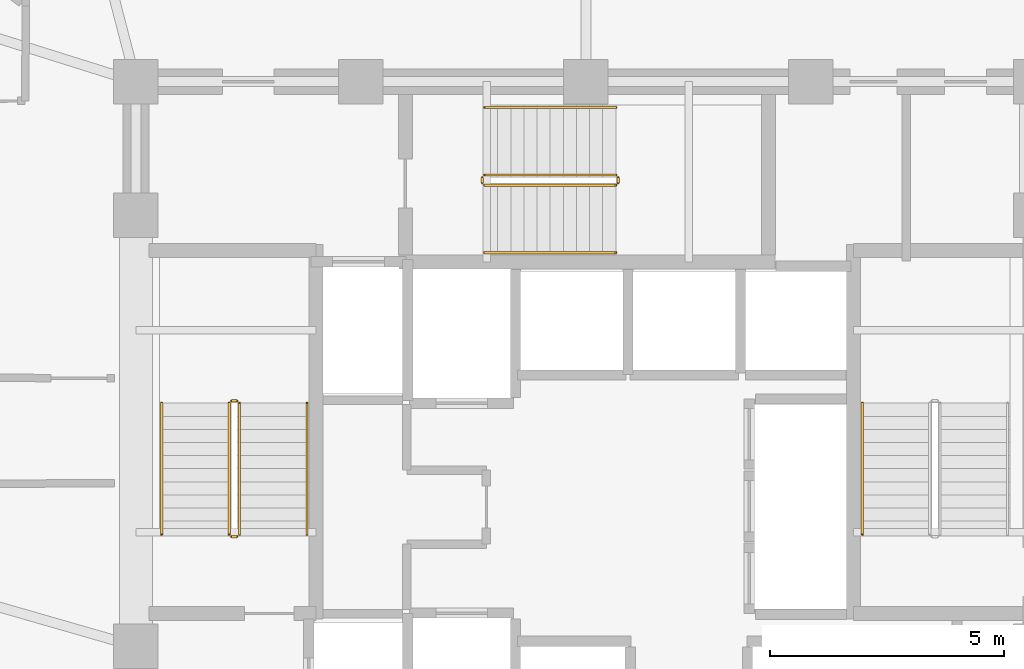
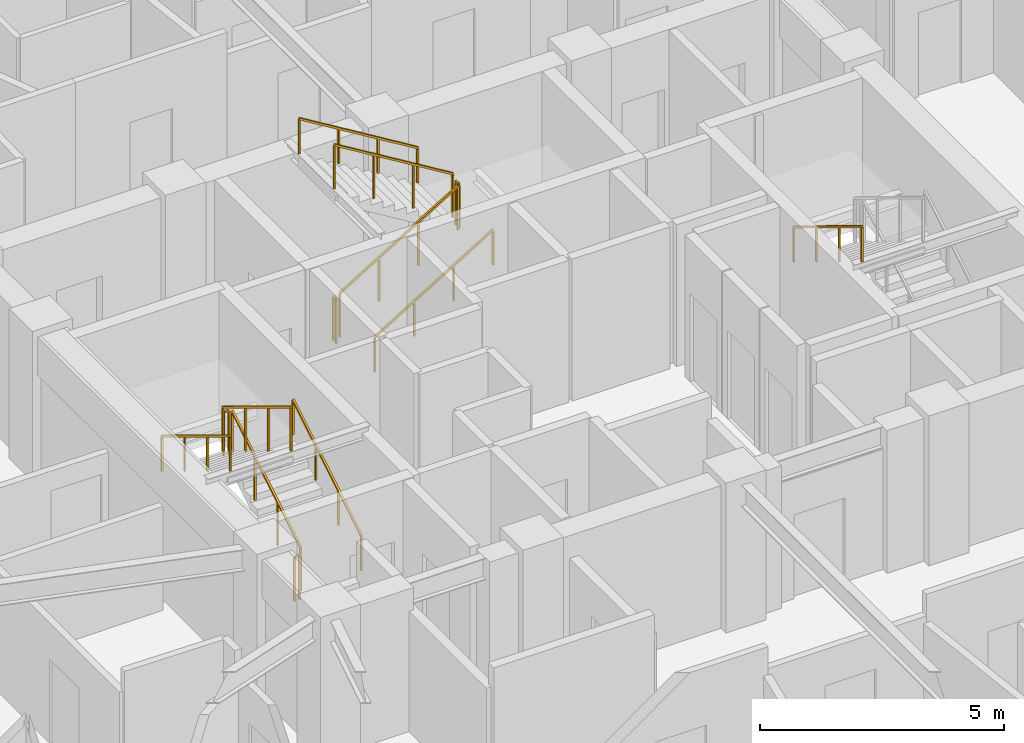
# One storey, part 30 of 32: 13 railings.
"""IFC4 building model written with IfcOpenShell, lengths in metres."""

from ifc_helpers import new_model, si_unit, direction, frame, origin, origin_2d, place, context, subcontext, project, spatial, rectangle, extrude, material, type_object, element, save


model = new_model("IFC4")

# Units and contexts
model_context = context("Model", 3, precision=1e-05, world=origin(), true_north=direction((0.0, 1.0)))
body_context = subcontext(model_context, "Body", "Model", "MODEL_VIEW")
ifc_project = project(units=[si_unit("LENGTHUNIT", "METRE"), si_unit("AREAUNIT", "SQUARE_METRE"), si_unit("VOLUMEUNIT", "CUBIC_METRE"), si_unit("PLANEANGLEUNIT", "RADIAN"), si_unit("MASSUNIT", "GRAM", prefix="KILO")], contexts=[model_context])

# Site, building, storey
site_placement = place(None, origin())
site = spatial("IfcSite", under=ifc_project, at=site_placement, CompositionType="ELEMENT")
building_placement = place(site_placement, origin())
building = spatial("IfcBuilding", under=site, at=building_placement, Name="Vantalir Tower", CompositionType="ELEMENT")
storey_placement = place(building_placement, frame((0.0, 0.0, 108.449951171875)))
storey = spatial("IfcBuildingStorey", under=building, at=storey_placement, Name="L26", CompositionType="ELEMENT", Elevation=108.449951171875)

# Railings
ifc_material_1 = material(Name="Anodised aluminium and stainless steel guard", Category="steel")
railing_type_1 = type_object("IfcRailingType", Name="RAL-GUARD-1120", PredefinedType="GUARDRAIL", material=ifc_material_1)
railing_1_placement = place(storey_placement, frame((24.110107421875, 22.7900390625, 0.17041015625)))
element("IfcRailing", 1, at=railing_1_placement, inside=storey, type_object=railing_type_1, Name="L26 ST1 stair guard 1", PredefinedType="GUARDRAIL", context=body_context, shape_type="SweptSolid", body=[
    extrude(rectangle(XDim=0.048095703125, YDim=0.048095703125, at=origin_2d()), frame((0.0, 0.0, 1.09619140625), z_axis=(0.0, 0.854169791009, 0.51999420009), x_axis=(-1.0, 0.0, 0.0)), (0.0, 0.0, 1.0), 3.278076171875),
    extrude(rectangle(XDim=0.0419921875, YDim=0.0419921875, at=origin_2d()), origin(), (0.0, 0.0, 1.0), 1.072021484375),
    extrude(rectangle(XDim=0.0419921875, YDim=0.0419921875, at=origin_2d()), frame((0.0, 0.933349609375, 0.568115234375)), (0.0, 0.0, 1.0), 1.072021484375),
    extrude(rectangle(XDim=0.0419921875, YDim=0.0419921875, at=origin_2d()), frame((0.0, 1.86669921875, 1.136474609375)), (0.0, 0.0, 1.0), 1.072021484375),
    extrude(rectangle(XDim=0.0419921875, YDim=0.0419921875, at=origin_2d()), frame((0.0, 2.800048828125, 1.70458984375)), (0.0, 0.0, 1.0), 1.072021484375),
])
railing_2_placement = place(storey_placement, frame((24.06005859375, 25.639892578125, 1.875)))
element("IfcRailing", 2, at=railing_2_placement, inside=storey, type_object=railing_type_1, Name="L26 ST1 stair guard 2", PredefinedType="GUARDRAIL", context=body_context, shape_type="SweptSolid", body=[
    extrude(rectangle(XDim=0.048095703125, YDim=0.048095703125, at=origin_2d()), frame((0.0, 0.0, 1.09619140625), z_axis=(-1.0, 0.0, 0.0), x_axis=(0.0, -1.0, 0.0)), (0.0, 0.0, 1.0), 0.1201171875),
    extrude(rectangle(XDim=0.0419921875, YDim=0.0419921875, at=origin_2d()), origin(), (0.0, 0.0, 1.0), 1.072021484375),
    extrude(rectangle(XDim=0.0419921875, YDim=0.0419921875, at=origin_2d()), frame((-0.1201171875, 0.0, 0.0)), (0.0, 0.0, 1.0), 1.072021484375),
])
railing_3_placement = place(storey_placement, frame((23.889892578125, 25.590087890625, 2.04541015625)))
element("IfcRailing", 3, at=railing_3_placement, inside=storey, type_object=railing_type_1, Name="L26 ST1 stair guard 3", PredefinedType="GUARDRAIL", context=body_context, shape_type="SweptSolid", body=[
    extrude(rectangle(XDim=0.048095703125, YDim=0.048095703125, at=origin_2d()), frame((0.0, 0.0, 1.09619140625), z_axis=(0.0, -0.854169791009, 0.51999420009), x_axis=(1.0, 0.0, 0.0)), (0.0, 0.0, 1.0), 3.278076171875),
    extrude(rectangle(XDim=0.0419921875, YDim=0.0419921875, at=origin_2d()), origin(), (0.0, 0.0, 1.0), 1.072021484375),
    extrude(rectangle(XDim=0.0419921875, YDim=0.0419921875, at=origin_2d()), frame((0.0, -0.933349609375, 0.568115234375)), (0.0, 0.0, 1.0), 1.072021484375),
    extrude(rectangle(XDim=0.0419921875, YDim=0.0419921875, at=origin_2d()), frame((0.0, -1.86669921875, 1.136474609375)), (0.0, 0.0, 1.0), 1.072021484375),
    extrude(rectangle(XDim=0.0419921875, YDim=0.0419921875, at=origin_2d()), frame((0.0, -2.800048828125, 1.70458984375)), (0.0, 0.0, 1.0), 1.072021484375),
])
railing_4_placement = place(storey_placement, frame((24.06005859375, 22.739990234375, 0.0)))
element("IfcRailing", 4, at=railing_4_placement, inside=storey, type_object=railing_type_1, Name="L26 ST1 stair guard 4", PredefinedType="GUARDRAIL", context=body_context, shape_type="SweptSolid", body=[
    extrude(rectangle(XDim=0.048095703125, YDim=0.048095703125, at=origin_2d()), frame((0.0, 0.0, 1.09619140625), z_axis=(-1.0, 0.0, 0.0), x_axis=(0.0, -1.0, 0.0)), (0.0, 0.0, 1.0), 0.1201171875),
    extrude(rectangle(XDim=0.0419921875, YDim=0.0419921875, at=origin_2d()), origin(), (0.0, 0.0, 1.0), 1.072021484375),
    extrude(rectangle(XDim=0.0419921875, YDim=0.0419921875, at=origin_2d()), frame((-0.1201171875, 0.0, 0.0)), (0.0, 0.0, 1.0), 1.072021484375),
])
railing_5_placement = place(storey_placement, frame((29.340087890625, 30.239990234375, 0.17041015625)))
element("IfcRailing", 5, at=railing_5_placement, inside=storey, type_object=railing_type_1, Name="L26 ST3 stair guard 1", PredefinedType="GUARDRAIL", context=body_context, shape_type="SweptSolid", body=[
    extrude(rectangle(XDim=0.048095703125, YDim=0.048095703125, at=origin_2d()), frame((0.0, 0.0, 1.09619140625), z_axis=(0.854149651119, 0.0, 0.520027281489), x_axis=(0.0, 1.0, 0.0)), (0.0, 0.0, 1.0), 3.27783203125),
    extrude(rectangle(XDim=0.0419921875, YDim=0.0419921875, at=origin_2d()), origin(), (0.0, 0.0, 1.0), 1.072021484375),
    extrude(rectangle(XDim=0.0419921875, YDim=0.0419921875, at=origin_2d()), frame((0.933349609375, 0.0, 0.568115234375)), (0.0, 0.0, 1.0), 1.072021484375),
    extrude(rectangle(XDim=0.0419921875, YDim=0.0419921875, at=origin_2d()), frame((1.866455078125, 0.0, 1.136474609375)), (0.0, 0.0, 1.0), 1.072021484375),
    extrude(rectangle(XDim=0.0419921875, YDim=0.0419921875, at=origin_2d()), frame((2.7998046875, 0.0, 1.70458984375)), (0.0, 0.0, 1.0), 1.072021484375),
])
railing_6_placement = place(storey_placement, frame((32.18994140625, 30.2900390625, 1.875)))
element("IfcRailing", 6, at=railing_6_placement, inside=storey, type_object=railing_type_1, Name="L26 ST3 stair guard 2", PredefinedType="GUARDRAIL", context=body_context, shape_type="SweptSolid", body=[
    extrude(rectangle(XDim=0.048095703125, YDim=0.048095703125, at=origin_2d()), frame((0.0, 0.0, 1.09619140625), z_axis=(0.0, 1.0, 0.0), x_axis=(-1.0, 0.0, 0.0)), (0.0, 0.0, 1.0), 0.119873046875),
    extrude(rectangle(XDim=0.0419921875, YDim=0.0419921875, at=origin_2d()), origin(), (0.0, 0.0, 1.0), 1.072021484375),
    extrude(rectangle(XDim=0.0419921875, YDim=0.0419921875, at=origin_2d()), frame((0.0, 0.119873046875, 0.0)), (0.0, 0.0, 1.0), 1.072021484375),
])
railing_7_placement = place(storey_placement, frame((32.139892578125, 30.4599609375, 2.04541015625)))
element("IfcRailing", 7, at=railing_7_placement, inside=storey, type_object=railing_type_1, Name="L26 ST3 stair guard 3", PredefinedType="GUARDRAIL", context=body_context, shape_type="SweptSolid", body=[
    extrude(rectangle(XDim=0.048095703125, YDim=0.048095703125, at=origin_2d()), frame((0.0, 0.0, 1.09619140625), z_axis=(-0.854149651119, 0.0, 0.520027281489), x_axis=(0.0, -1.0, 0.0)), (0.0, 0.0, 1.0), 3.27783203125),
    extrude(rectangle(XDim=0.0419921875, YDim=0.0419921875, at=origin_2d()), origin(), (0.0, 0.0, 1.0), 1.072021484375),
    extrude(rectangle(XDim=0.0419921875, YDim=0.0419921875, at=origin_2d()), frame((-0.933349609375, 0.0, 0.568115234375)), (0.0, 0.0, 1.0), 1.072021484375),
    extrude(rectangle(XDim=0.0419921875, YDim=0.0419921875, at=origin_2d()), frame((-1.866455078125, 0.0, 1.136474609375)), (0.0, 0.0, 1.0), 1.072021484375),
    extrude(rectangle(XDim=0.0419921875, YDim=0.0419921875, at=origin_2d()), frame((-2.7998046875, 0.0, 1.70458984375)), (0.0, 0.0, 1.0), 1.072021484375),
])
railing_8_placement = place(storey_placement, frame((29.2900390625, 30.2900390625, 0.0)))
element("IfcRailing", 8, at=railing_8_placement, inside=storey, type_object=railing_type_1, Name="L26 ST3 stair guard 4", PredefinedType="GUARDRAIL", context=body_context, shape_type="SweptSolid", body=[
    extrude(rectangle(XDim=0.048095703125, YDim=0.048095703125, at=origin_2d()), frame((0.0, 0.0, 1.09619140625), z_axis=(0.0, 1.0, 0.0), x_axis=(-1.0, 0.0, 0.0)), (0.0, 0.0, 1.0), 0.119873046875),
    extrude(rectangle(XDim=0.0419921875, YDim=0.0419921875, at=origin_2d()), origin(), (0.0, 0.0, 1.0), 1.072021484375),
    extrude(rectangle(XDim=0.0419921875, YDim=0.0419921875, at=origin_2d()), frame((0.0, 0.119873046875, 0.0)), (0.0, 0.0, 1.0), 1.072021484375),
])
ifc_material_2 = material(Name="Brushed stainless steel tubular handrail", Category="steel")
railing_type_2 = type_object("IfcRailingType", Name="RAL-HANDRAIL-900", PredefinedType="HANDRAIL", material=ifc_material_2)
railing_9_placement = place(storey_placement, frame((25.550048828125, 22.7900390625, 0.17041015625)))
element("IfcRailing", 9, at=railing_9_placement, inside=storey, type_object=railing_type_2, Name="L26 ST1 stair handrail 1", PredefinedType="HANDRAIL", context=body_context, shape_type="SweptSolid", body=[
    extrude(rectangle(XDim=0.048095703125, YDim=0.048095703125, at=origin_2d()), frame((0.0, 0.0, 0.8759765625), z_axis=(0.0, 0.854169791009, 0.51999420009), x_axis=(-1.0, 0.0, 0.0)), (0.0, 0.0, 1.0), 3.278076171875),
    extrude(rectangle(XDim=0.0419921875, YDim=0.0419921875, at=origin_2d()), origin(), (0.0, 0.0, 1.0), 0.851806640625),
    extrude(rectangle(XDim=0.0419921875, YDim=0.0419921875, at=origin_2d()), frame((0.0, 0.933349609375, 0.568115234375)), (0.0, 0.0, 1.0), 0.851806640625),
    extrude(rectangle(XDim=0.0419921875, YDim=0.0419921875, at=origin_2d()), frame((0.0, 1.86669921875, 1.136474609375)), (0.0, 0.0, 1.0), 0.851806640625),
    extrude(rectangle(XDim=0.0419921875, YDim=0.0419921875, at=origin_2d()), frame((0.0, 2.800048828125, 1.70458984375)), (0.0, 0.0, 1.0), 0.851806640625),
])
for number, where, name in (
    (10, (22.449951171875, 25.590087890625, 2.04541015625), "L26 ST1 stair handrail 2"),
    (11, (37.39990234375, 25.590087890625, 2.04541015625), "L26 ST2 stair handrail 2"),
):
    element("IfcRailing", number, at=place(storey_placement, frame(where)), inside=storey, type_object=railing_type_2, Name=name, PredefinedType="HANDRAIL", context=body_context, shape_type="SweptSolid", body=[
        extrude(rectangle(XDim=0.048095703125, YDim=0.048095703125, at=origin_2d()), frame((0.0, 0.0, 0.8759765625), z_axis=(0.0, -0.854169791009, 0.51999420009), x_axis=(1.0, 0.0, 0.0)), (0.0, 0.0, 1.0), 3.278076171875),
        extrude(rectangle(XDim=0.0419921875, YDim=0.0419921875, at=origin_2d()), origin(), (0.0, 0.0, 1.0), 0.851806640625),
        extrude(rectangle(XDim=0.0419921875, YDim=0.0419921875, at=origin_2d()), frame((0.0, -0.933349609375, 0.568115234375)), (0.0, 0.0, 1.0), 0.851806640625),
        extrude(rectangle(XDim=0.0419921875, YDim=0.0419921875, at=origin_2d()), frame((0.0, -1.86669921875, 1.136474609375)), (0.0, 0.0, 1.0), 0.851806640625),
        extrude(rectangle(XDim=0.0419921875, YDim=0.0419921875, at=origin_2d()), frame((0.0, -2.800048828125, 1.70458984375)), (0.0, 0.0, 1.0), 0.851806640625),
    ])
railing_10_placement = place(storey_placement, frame((29.340087890625, 28.800048828125, 0.17041015625)))
element("IfcRailing", 12, at=railing_10_placement, inside=storey, type_object=railing_type_2, Name="L26 ST3 stair handrail 1", PredefinedType="HANDRAIL", context=body_context, shape_type="SweptSolid", body=[
    extrude(rectangle(XDim=0.048095703125, YDim=0.048095703125, at=origin_2d()), frame((0.0, 0.0, 0.8759765625), z_axis=(0.854149651119, 0.0, 0.520027281489), x_axis=(0.0, 1.0, 0.0)), (0.0, 0.0, 1.0), 3.27783203125),
    extrude(rectangle(XDim=0.0419921875, YDim=0.0419921875, at=origin_2d()), origin(), (0.0, 0.0, 1.0), 0.851806640625),
    extrude(rectangle(XDim=0.0419921875, YDim=0.0419921875, at=origin_2d()), frame((0.933349609375, 0.0, 0.568115234375)), (0.0, 0.0, 1.0), 0.851806640625),
    extrude(rectangle(XDim=0.0419921875, YDim=0.0419921875, at=origin_2d()), frame((1.866455078125, 0.0, 1.136474609375)), (0.0, 0.0, 1.0), 0.851806640625),
    extrude(rectangle(XDim=0.0419921875, YDim=0.0419921875, at=origin_2d()), frame((2.7998046875, 0.0, 1.70458984375)), (0.0, 0.0, 1.0), 0.851806640625),
])
railing_11_placement = place(storey_placement, frame((32.139892578125, 31.89990234375, 2.04541015625)))
element("IfcRailing", 13, at=railing_11_placement, inside=storey, type_object=railing_type_2, Name="L26 ST3 stair handrail 2", PredefinedType="HANDRAIL", context=body_context, shape_type="SweptSolid", body=[
    extrude(rectangle(XDim=0.048095703125, YDim=0.048095703125, at=origin_2d()), frame((0.0, 0.0, 0.8759765625), z_axis=(-0.854149651119, 0.0, 0.520027281489), x_axis=(0.0, -1.0, 0.0)), (0.0, 0.0, 1.0), 3.27783203125),
    extrude(rectangle(XDim=0.0419921875, YDim=0.0419921875, at=origin_2d()), origin(), (0.0, 0.0, 1.0), 0.851806640625),
    extrude(rectangle(XDim=0.0419921875, YDim=0.0419921875, at=origin_2d()), frame((-0.933349609375, 0.0, 0.568115234375)), (0.0, 0.0, 1.0), 0.851806640625),
    extrude(rectangle(XDim=0.0419921875, YDim=0.0419921875, at=origin_2d()), frame((-1.866455078125, 0.0, 1.136474609375)), (0.0, 0.0, 1.0), 0.851806640625),
    extrude(rectangle(XDim=0.0419921875, YDim=0.0419921875, at=origin_2d()), frame((-2.7998046875, 0.0, 1.70458984375)), (0.0, 0.0, 1.0), 0.851806640625),
])

save(model, "model.ifc")
